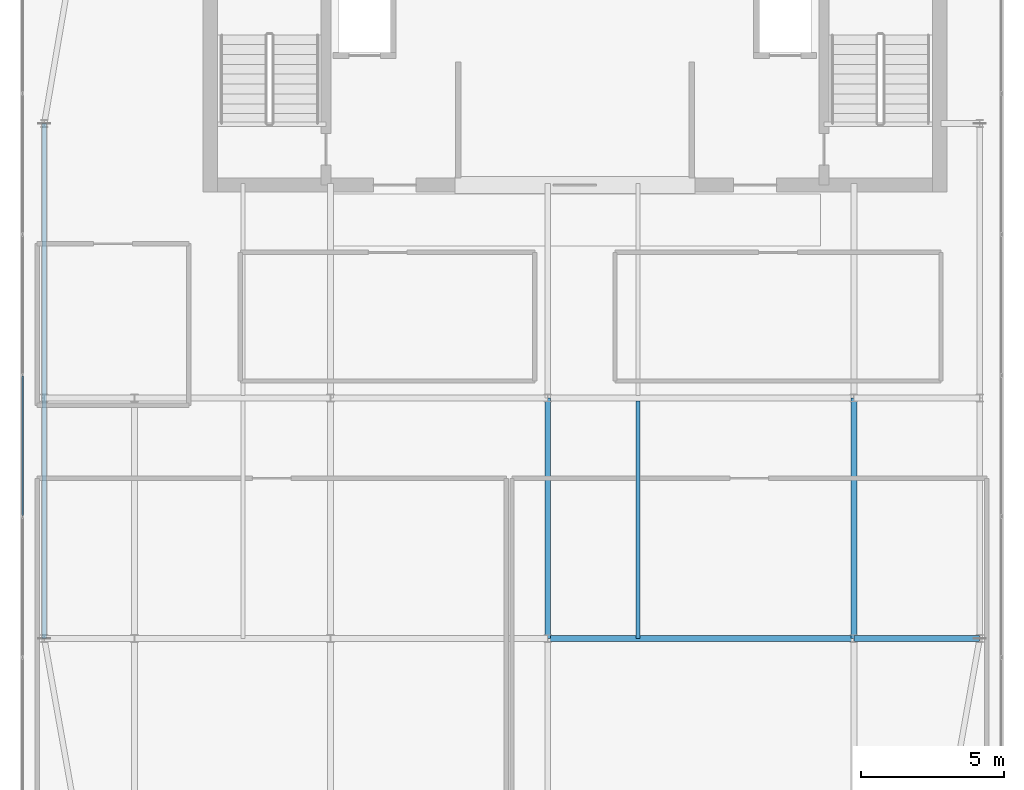
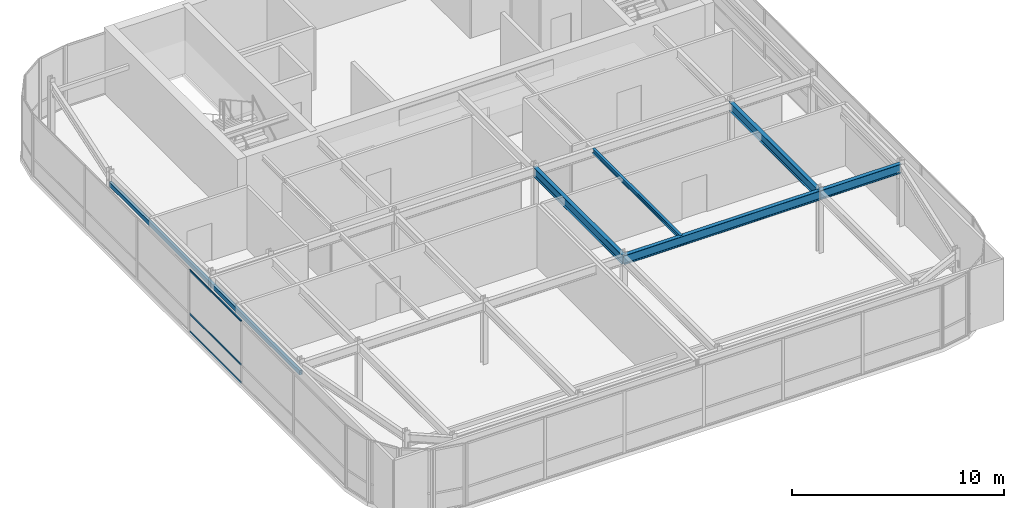
# One storey, part 15 of 36: 5 beams, 4 members, 1 element without a shape of its own.
"""IFC4 building model written with IfcOpenShell, lengths in metres."""

from ifc_helpers import new_model, si_unit, direction, frame, origin, origin_2d, place, context, subcontext, project, spatial, hollow_rectangle, i_section, extrude, source, transform, mapped, material, layer, layer_set, material_profile, profile_set, type_object, type_shapes, element, aggregate, save


model = new_model("IFC4")

# Units and contexts
model_context = context("Model", 3, precision=1e-05, world=origin(), true_north=direction((0.0, 1.0)))
body_context = subcontext(model_context, "Body", "Model", "MODEL_VIEW")
ifc_project = project(units=[si_unit("LENGTHUNIT", "METRE"), si_unit("AREAUNIT", "SQUARE_METRE"), si_unit("VOLUMEUNIT", "CUBIC_METRE"), si_unit("PLANEANGLEUNIT", "RADIAN"), si_unit("MASSUNIT", "GRAM", prefix="KILO")], contexts=[model_context])

# Site, building, storey
site_placement = place(None, origin())
site = spatial("IfcSite", under=ifc_project, at=site_placement, CompositionType="ELEMENT")
building_placement = place(site_placement, origin())
building = spatial("IfcBuilding", under=site, at=building_placement, Name="Tolvann Quenvar Hotel", CompositionType="ELEMENT")
storey_placement = place(building_placement, frame((0.0, 0.0, 294.75)))
storey = spatial("IfcBuildingStorey", under=building, at=storey_placement, Name="L78", CompositionType="ELEMENT", Elevation=294.75)

# Beams
ifc_material_1 = material(Name="Steel Grade 350", Category="steel")
ifc_material_profile_1 = material_profile(ifc_material_1, i_section(OverallWidth=0.208984375, OverallDepth=0.532958984375, WebThickness=0.01025390625, FlangeThickness=0.015625, FilletRadius=0.013916015625, at=origin_2d()), Name="530UB92")
ifc_profile_set_1 = profile_set([ifc_material_profile_1], Name="Steel Grade 350")
beam_type_1 = type_object("IfcBeamType", Name="BM_GIRD_530UB92", PredefinedType="BEAM", material=ifc_profile_set_1)
shared_shape_1 = source(origin(), body_context, "Body", "SweptSolid", [
    extrude(i_section(OverallWidth=0.208984375, OverallDepth=0.532958984375, WebThickness=0.01025390625, FlangeThickness=0.015625, FilletRadius=0.013916015625, at=origin_2d()), origin(), (0.0, 0.0, 1.0), 8.39990234375),
])
for number, where, z_axis, x_axis, name in (
    (1, (22.050048828125, 16.0, 3.3134765625), (0.0, 1.0, 0.0), (-1.0, 0.0, 0.0), "BM-L78-NS-E4-E5"),
    (2, (32.75, 16.0, 3.3134765625), (0.0, 1.0, 0.0), (-1.0, 0.0, 0.0), "BM-L78-NS-FP4-FP5"),
):
    element("IfcBeam", number, at=place(storey_placement, frame(where, z_axis=z_axis, x_axis=x_axis)), inside=storey, type_object=beam_type_1, Name=name, PredefinedType="BEAM", context=body_context, shape_type="MappedRepresentation", body=[
        mapped(shared_shape_1, transform((0.0, 0.0, 0.0), x_axis=(1.0, 0.0, 0.0), y_axis=(0.0, 1.0, 0.0), z_axis=(0.0, 0.0, 1.0), scale=1.0)),
    ])
shared_shape_2 = source(origin(), body_context, "Body", "SweptSolid", [
    extrude(i_section(OverallWidth=0.208984375, OverallDepth=0.532958984375, WebThickness=0.01025390625, FlangeThickness=0.015625, FilletRadius=0.013916015625, at=origin_2d()), origin(), (0.0, 0.0, 1.0), 10.699951171875),
])
beam_1_placement = place(storey_placement, frame((22.050048828125, 16.0, 3.3134765625), z_axis=(1.0, 0.0, 0.0), x_axis=(0.0, 1.0, 0.0)))
element("IfcBeam", 3, at=beam_1_placement, inside=storey, type_object=beam_type_1, Name="BM-L78-EW-4-E4-FP4", PredefinedType="BEAM", context=body_context, shape_type="MappedRepresentation", body=[
    mapped(shared_shape_2, transform((0.0, 0.0, 0.0), x_axis=(1.0, 0.0, 0.0), y_axis=(0.0, 1.0, 0.0), z_axis=(0.0, 0.0, 1.0), scale=1.0)),
])

# Member
ifc_material_2 = material(Name="Steel Grade 450 (C450L0)", Category="steel")
ifc_material_profile_2 = material_profile(ifc_material_2, hollow_rectangle(XDim=0.14990234375, YDim=0.25, WallThickness=0.009033203125, at=origin_2d()), Name="250x150x9RHS")
ifc_profile_set_2 = profile_set([ifc_material_profile_2], Name="Steel Grade 450 (C450L0)")
member_type_1 = type_object("IfcMemberType", Name="MEM_CROWN_250RHS", PredefinedType="USERDEFINED", material=ifc_profile_set_2)
shared_shape_3 = source(origin(), body_context, "Body", "SweptSolid", [
    extrude(hollow_rectangle(XDim=0.14990234375, YDim=0.25, WallThickness=0.009033203125, at=origin_2d()), origin(), (0.0, 0.0, 1.0), 18.0),
])
type_shapes(member_type_1, [shared_shape_3])
member_1_placement = place(storey_placement, frame((4.449951171875, 16.0, 2.929931640625), z_axis=(0.0, 1.0, 0.0), x_axis=(-1.0, 0.0, 0.0)))
element("IfcMember", 4, at=member_1_placement, inside=storey, type_object=member_type_1, Name="Crown Frame Ring Member (L78-2)", ObjectType="CROWN FRAME", PredefinedType="USERDEFINED", context=body_context, shape_type="MappedRepresentation", body=[
    mapped(shared_shape_3, transform((0.0, 0.0, 0.0), x_axis=(1.0, 0.0, 0.0), y_axis=(0.0, 1.0, 0.0), z_axis=(0.0, 0.0, 1.0), scale=1.0)),
])

# Beams
shared_shape_4 = source(origin(), body_context, "Body", "SweptSolid", [
    extrude(i_section(OverallWidth=0.208984375, OverallDepth=0.532958984375, WebThickness=0.01025390625, FlangeThickness=0.015625, FilletRadius=0.013916015625, at=origin_2d()), origin(), (0.0, 0.0, 1.0), 4.39990234375),
])
type_shapes(beam_type_1, [shared_shape_1, shared_shape_2, shared_shape_4])
beam_2_placement = place(storey_placement, frame((32.75, 16.0, 3.3134765625), z_axis=(1.0, 0.0, 0.0), x_axis=(0.0, 1.0, 0.0)))
element("IfcBeam", 5, at=beam_2_placement, inside=storey, type_object=beam_type_1, Name="BM-L78-EW-4-FP4-G4", PredefinedType="BEAM", context=body_context, shape_type="MappedRepresentation", body=[
    mapped(shared_shape_4, transform((0.0, 0.0, 0.0), x_axis=(1.0, 0.0, 0.0), y_axis=(0.0, 1.0, 0.0), z_axis=(0.0, 0.0, 1.0), scale=1.0)),
])
ifc_material_profile_3 = material_profile(ifc_material_1, i_section(OverallWidth=0.14599609375, OverallDepth=0.256103515625, WebThickness=0.00634765625, FlangeThickness=0.010986328125, FilletRadius=0.0087890625, at=origin_2d()), Name="250UB37")
ifc_profile_set_3 = profile_set([ifc_material_profile_3], Name="Steel Grade 350")
beam_type_2 = type_object("IfcBeamType", Name="BM_JOIST_250UB37", PredefinedType="JOIST", material=ifc_profile_set_3)
shared_shape_5 = source(origin(), body_context, "Body", "SweptSolid", [
    extrude(i_section(OverallWidth=0.14599609375, OverallDepth=0.256103515625, WebThickness=0.00634765625, FlangeThickness=0.010986328125, FilletRadius=0.0087890625, at=origin_2d()), origin(), (0.0, 0.0, 1.0), 8.301513671875),
])
type_shapes(beam_type_2, [shared_shape_5])
beam_3_placement = place(storey_placement, frame((25.199951171875, 16.0, 3.451904296875), z_axis=(0.0, 1.0, 0.0), x_axis=(-1.0, 0.0, 0.0)))
element("IfcBeam", 6, at=beam_3_placement, inside=storey, type_object=beam_type_2, Name="BJ-L78-252-160", PredefinedType="JOIST", context=body_context, shape_type="MappedRepresentation", body=[
    mapped(shared_shape_5, transform((0.0, 0.0, 0.0), x_axis=(1.0, 0.0, 0.0), y_axis=(0.0, 1.0, 0.0), z_axis=(0.0, 0.0, 1.0), scale=1.0)),
])

# Curtain wall, members
ifc_material_3 = material(Name="Thermally broken anodised architectural aluminium 6063-T6 and laminated low-E glass", Category="aluminium")
ifc_layer = layer(ifc_material_3, 0.179931640625)
ifc_layer_set = layer_set([ifc_layer], Name="Thermally broken anodised architectural aluminium 6063-T6 and laminated low-E glass")
curtain_wall_type = type_object("IfcCurtainWallType", Name="CW_SYS_LANT_06", PredefinedType="USERDEFINED", material=ifc_layer_set)
curtain_wall_placement = place(storey_placement, origin())
curtain_wall = element("IfcCurtainWall", 7, at=curtain_wall_placement, inside=storey, type_object=curtain_wall_type, Name="Curtain Wall CW-LANT-06 (CWR-L78-E19)", ObjectType="UNITISED CURTAIN WALL", PredefinedType="USERDEFINED")
ifc_material_4 = material(Name="Anodised architectural aluminium 6063-T6 framing", Category="aluminium")
ifc_material_profile_4 = material_profile(ifc_material_4, hollow_rectangle(XDim=0.050048828125, YDim=0.10009765625, WallThickness=0.0029296875, at=origin_2d()), Name="100x50x3RHS")
ifc_profile_set_4 = profile_set([ifc_material_profile_4], Name="Anodised architectural aluminium 6063-T6 framing")
member_type_2 = type_object("IfcMemberType", Name="CW_TRAN_100x50", PredefinedType="USERDEFINED", material=ifc_profile_set_4)
shared_shape_6 = source(origin(), body_context, "Body", "SweptSolid", [
    extrude(hollow_rectangle(XDim=0.050048828125, YDim=0.10009765625, WallThickness=0.0029296875, at=origin_2d()), origin(), (0.0, 0.0, 1.0), 4.862548828125),
])
type_shapes(member_type_2, [shared_shape_6])
member_2_placement = place(storey_placement, frame((3.68994140625, 25.16748046875, 0.02490234375), z_axis=(0.0, -1.0, 0.0), x_axis=(1.0, 0.0, 0.0)))
member_2 = element("IfcMember", 8, at=member_2_placement, type_object=member_type_2, Name="CW-LANT-06 transom 4.1", ObjectType="TRANSOM", PredefinedType="USERDEFINED", context=body_context, shape_type="MappedRepresentation", body=[
    mapped(shared_shape_6, transform((0.0, 0.0, 0.0), x_axis=(1.0, 0.0, 0.0), y_axis=(0.0, 1.0, 0.0), z_axis=(0.0, 0.0, 1.0), scale=1.0)),
])
member_3_placement = place(storey_placement, frame((3.68994140625, 25.16748046875, 1.050048828125), z_axis=(0.0, -1.0, 0.0), x_axis=(1.0, 0.0, 0.0)))
member_3 = element("IfcMember", 9, at=member_3_placement, type_object=member_type_2, Name="CW-LANT-06 transom 4.2", ObjectType="TRANSOM", PredefinedType="USERDEFINED", context=body_context, shape_type="MappedRepresentation", body=[
    mapped(shared_shape_6, transform((0.0, 0.0, 0.0), x_axis=(1.0, 0.0, 0.0), y_axis=(0.0, 1.0, 0.0), z_axis=(0.0, 0.0, 1.0), scale=1.0)),
])
member_4_placement = place(storey_placement, frame((3.68994140625, 25.16748046875, 3.554931640625), z_axis=(0.0, -1.0, 0.0), x_axis=(1.0, 0.0, 0.0)))
member_4 = element("IfcMember", 10, at=member_4_placement, type_object=member_type_2, Name="CW-LANT-06 transom 4.3", ObjectType="TRANSOM", PredefinedType="USERDEFINED", context=body_context, shape_type="MappedRepresentation", body=[
    mapped(shared_shape_6, transform((0.0, 0.0, 0.0), x_axis=(1.0, 0.0, 0.0), y_axis=(0.0, 1.0, 0.0), z_axis=(0.0, 0.0, 1.0), scale=1.0)),
])
aggregate(curtain_wall, [member_2, member_3, member_4])

save(model, "model.ifc")
